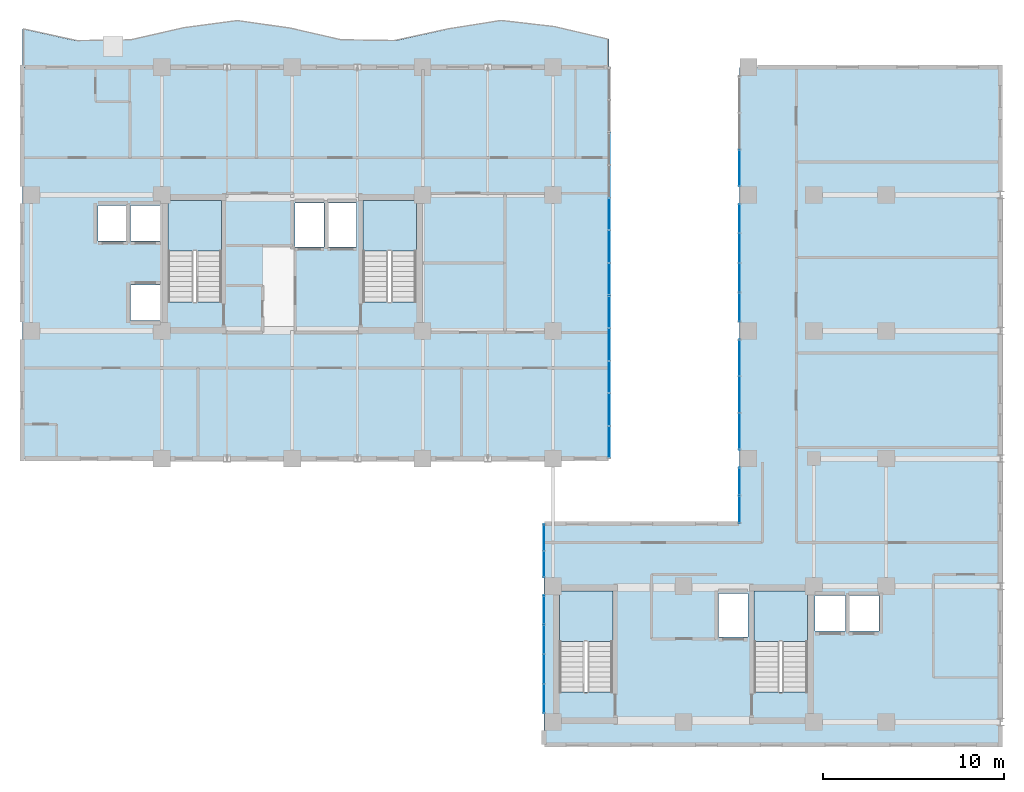
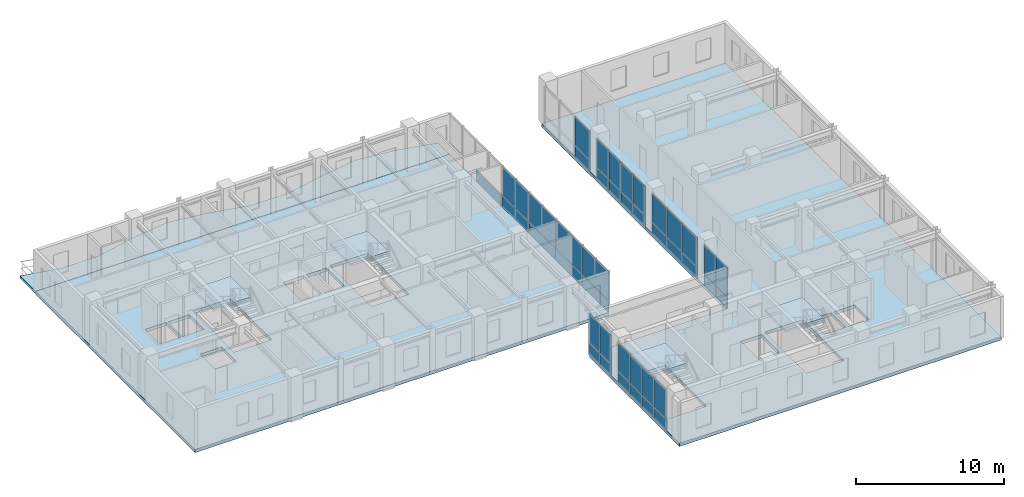
# One storey, part 15 of 24: 41 plates, 7 slabs, 11 elements without a shape of their own.
"""IFC4 building model written with IfcOpenShell, lengths in metres."""

from ifc_helpers import new_model, si_unit, direction, frame, origin, origin_2d, place, context, subcontext, project, spatial, polyline, rectangle, outline, extrude, source, transform, mapped, material, layer, layer_set, type_object, element, aggregate, save


model = new_model("IFC4")

# Units and contexts
model_context = context("Model", 3, precision=1e-05, world=origin(), true_north=direction((0.0, 1.0)))
body_context = subcontext(model_context, "Body", "Model", "MODEL_VIEW")
ifc_project = project(units=[si_unit("LENGTHUNIT", "METRE"), si_unit("AREAUNIT", "SQUARE_METRE"), si_unit("VOLUMEUNIT", "CUBIC_METRE"), si_unit("PLANEANGLEUNIT", "RADIAN"), si_unit("MASSUNIT", "GRAM", prefix="KILO")], contexts=[model_context])

# Site, building, storey
site_placement = place(None, origin())
site = spatial("IfcSite", under=ifc_project, at=site_placement, CompositionType="ELEMENT")
building_placement = place(site_placement, origin())
building = spatial("IfcBuilding", under=site, at=building_placement, Name="Kaliganga Portal Commons", CompositionType="ELEMENT")
storey_placement = place(building_placement, frame((0.0, 0.0, 238.800048828125)))
storey = spatial("IfcBuildingStorey", under=building, at=storey_placement, Name="L61", CompositionType="ELEMENT", Elevation=238.800048828125)

# Slabs
ifc_material_1 = material(Name="Concrete C40/50", Category="concrete")
ifc_layer_1 = layer(ifc_material_1, 0.2099609375)
ifc_layer_set_1 = layer_set([ifc_layer_1], Name="Concrete C40/50")
slab_type_1 = type_object("IfcSlabType", Name="SLB-BALC-210", PredefinedType="FLOOR", material=ifc_layer_set_1)
slab_1_placement = place(storey_placement, frame((0.0, 0.0, -0.2099609375)))
element("IfcSlab", 1, at=slab_1_placement, inside=storey, type_object=slab_type_1, Name="Scalloped Tree-Planter Balcony Slab L61 balc_north", PredefinedType="FLOOR", context=body_context, shape_type="SweptSolid", body=[
    extrude(outline(polyline([(39.10009765625, 43.199951171875), (39.10009765625, 44.760498046875), (36.154541015625, 45.455078125), (33.208984375, 45.796142578125), (30.263671875, 45.3271484375), (27.318115234375, 44.67578125), (24.372802734375, 44.714111328125), (21.42724609375, 45.390625), (18.481689453125, 45.800048828125), (15.536376953125, 45.39404296875), (12.5908203125, 44.71630859375), (9.6455078125, 44.674072265625), (6.699951171875, 45.32373046875), (6.699951171875, 43.199951171875), (39.10009765625, 43.199951171875)])), origin(), (0.0, 0.0, 1.0), 0.2099609375),
])
ifc_material_2 = material(Name="Concrete C50/60", Category="concrete")
ifc_layer_2 = layer(ifc_material_2, 0.260009765625)
ifc_layer_set_2 = layer_set([ifc_layer_2], Name="Concrete C50/60")
slab_type_2 = type_object("IfcSlabType", Name="SLB-PORTAL-260", PredefinedType="FLOOR", material=ifc_layer_set_2)
slab_2_placement = place(storey_placement, frame((0.0, 0.0, -0.260009765625)))
element("IfcSlab", 2, at=slab_2_placement, inside=storey, type_object=slab_type_2, Name="Structural Floor Slab L61:W1", PredefinedType="FLOOR", context=body_context, shape_type="SweptSolid", body=[
    extrude(outline(polyline([(6.699951171875, 21.60009765625), (39.10009765625, 21.60009765625), (39.10009765625, 43.199951171875), (6.699951171875, 43.199951171875), (6.699951171875, 21.60009765625)]), holes=[polyline([(14.75, 30.25390625), (14.75, 35.85009765625), (17.699951171875, 35.85009765625), (17.699951171875, 30.25390625), (14.75, 30.25390625)]), polyline([(25.5, 30.25390625), (25.5, 35.85009765625), (28.449951171875, 35.85009765625), (28.449951171875, 30.25390625), (25.5, 30.25390625)]), polyline([(12.6650390625, 33.614990234375), (12.6650390625, 35.5849609375), (14.3349609375, 35.5849609375), (14.3349609375, 33.614990234375), (12.6650390625, 33.614990234375)]), polyline([(12.6650390625, 29.215087890625), (12.6650390625, 31.18505859375), (14.3349609375, 31.18505859375), (14.3349609375, 29.215087890625), (12.6650390625, 29.215087890625)]), polyline([(10.864990234375, 33.614990234375), (10.864990234375, 35.5849609375), (12.534912109375, 35.5849609375), (12.534912109375, 33.614990234375), (10.864990234375, 33.614990234375)]), polyline([(21.739990234375, 33.2900390625), (21.739990234375, 35.7099609375), (23.360107421875, 35.7099609375), (23.360107421875, 33.2900390625), (21.739990234375, 33.2900390625)]), polyline([(23.5400390625, 33.2900390625), (23.5400390625, 35.7099609375), (25.159912109375, 35.7099609375), (25.159912109375, 33.2900390625), (23.5400390625, 33.2900390625)])]), origin(), (0.0, 0.0, 1.0), 0.260009765625),
])
slab_3_placement = place(storey_placement, frame((0.0, 0.0, -0.260009765625)))
element("IfcSlab", 3, at=slab_3_placement, inside=storey, type_object=slab_type_2, Name="Structural Floor Slab L61:W2", PredefinedType="FLOOR", context=body_context, shape_type="SweptSolid", body=[
    extrude(outline(polyline([(35.5, 5.800048828125), (60.699951171875, 5.800048828125), (60.699951171875, 43.199951171875), (46.300048828125, 43.199951171875), (46.300048828125, 18.0), (35.5, 18.0), (35.5, 5.800048828125)]), holes=[polyline([(36.35009765625, 8.7041015625), (36.35009765625, 14.300048828125), (39.300048828125, 14.300048828125), (39.300048828125, 8.7041015625), (36.35009765625, 8.7041015625)]), polyline([(47.10009765625, 8.7041015625), (47.10009765625, 14.300048828125), (50.050048828125, 14.300048828125), (50.050048828125, 8.7041015625), (47.10009765625, 8.7041015625)]), polyline([(50.465087890625, 12.06494140625), (50.465087890625, 14.034912109375), (52.135009765625, 14.034912109375), (52.135009765625, 12.06494140625), (50.465087890625, 12.06494140625)]), polyline([(52.31494140625, 12.06494140625), (52.31494140625, 14.034912109375), (53.985107421875, 14.034912109375), (53.985107421875, 12.06494140625), (52.31494140625, 12.06494140625)]), polyline([(45.139892578125, 11.739990234375), (45.139892578125, 14.159912109375), (46.760009765625, 14.159912109375), (46.760009765625, 11.739990234375), (45.139892578125, 11.739990234375)])]), origin(), (0.0, 0.0, 1.0), 0.260009765625),
])

# Stair, slab
stair_type = type_object("IfcStairType", Name="ST-CORE-DOGLEG", PredefinedType="HALF_TURN_STAIR", material=ifc_material_1)
stair_1_placement = place(storey_placement, origin())
stair_1 = element("IfcStair", 4, at=stair_1_placement, inside=storey, type_object=stair_type, Name="L61 Protected Exit Stair ST-A1", PredefinedType="HALF_TURN_STAIR")
ifc_layer_3 = layer(ifc_material_1, 0.199951171875)
ifc_layer_set_3 = layer_set([ifc_layer_3], Name="Concrete C40/50")
slab_type_3 = type_object("IfcSlabType", Name="SLB-STAIR-LND", PredefinedType="LANDING", material=ifc_layer_set_3)
slab_4_placement = place(storey_placement, frame((0.0, 0.0, 1.64990234375)))
slab_4 = element("IfcSlab", 5, at=slab_4_placement, type_object=slab_type_3, Name="ST-A1 landing 1", PredefinedType="LANDING", context=body_context, shape_type="SweptSolid", body=[
    extrude(outline(polyline([(17.699951171875, 33.050048828125), (17.699951171875, 35.85009765625), (14.75, 35.85009765625), (14.75, 33.050048828125), (17.699951171875, 33.050048828125)])), origin(), (0.0, 0.0, 1.0), 0.199951171875),
])
aggregate(stair_1, [slab_4])

stair_2_placement = place(storey_placement, origin())
stair_2 = element("IfcStair", 6, at=stair_2_placement, inside=storey, type_object=stair_type, Name="L61 Protected Exit Stair ST-A2", PredefinedType="HALF_TURN_STAIR")
slab_5_placement = place(storey_placement, frame((0.0, 0.0, 1.64990234375)))
slab_5 = element("IfcSlab", 7, at=slab_5_placement, type_object=slab_type_3, Name="ST-A2 landing 1", PredefinedType="LANDING", context=body_context, shape_type="SweptSolid", body=[
    extrude(outline(polyline([(28.449951171875, 33.050048828125), (28.449951171875, 35.85009765625), (25.5, 35.85009765625), (25.5, 33.050048828125), (28.449951171875, 33.050048828125)])), origin(), (0.0, 0.0, 1.0), 0.199951171875),
])
aggregate(stair_2, [slab_5])

stair_3_placement = place(storey_placement, origin())
stair_3 = element("IfcStair", 8, at=stair_3_placement, inside=storey, type_object=stair_type, Name="L61 Protected Exit Stair ST-B1", PredefinedType="HALF_TURN_STAIR")
slab_6_placement = place(storey_placement, frame((0.0, 0.0, 1.64990234375)))
slab_6 = element("IfcSlab", 9, at=slab_6_placement, type_object=slab_type_3, Name="ST-B1 landing 1", PredefinedType="LANDING", context=body_context, shape_type="SweptSolid", body=[
    extrude(outline(polyline([(39.300048828125, 11.5), (39.300048828125, 14.300048828125), (36.35009765625, 14.300048828125), (36.35009765625, 11.5), (39.300048828125, 11.5)])), origin(), (0.0, 0.0, 1.0), 0.199951171875),
])
aggregate(stair_3, [slab_6])

stair_4_placement = place(storey_placement, origin())
stair_4 = element("IfcStair", 10, at=stair_4_placement, inside=storey, type_object=stair_type, Name="L61 Protected Exit Stair ST-B2", PredefinedType="HALF_TURN_STAIR")
slab_7_placement = place(storey_placement, frame((0.0, 0.0, 1.64990234375)))
slab_7 = element("IfcSlab", 11, at=slab_7_placement, type_object=slab_type_3, Name="ST-B2 landing 1", PredefinedType="LANDING", context=body_context, shape_type="SweptSolid", body=[
    extrude(outline(polyline([(50.050048828125, 11.5), (50.050048828125, 14.300048828125), (47.10009765625, 14.300048828125), (47.10009765625, 11.5), (50.050048828125, 11.5)])), origin(), (0.0, 0.0, 1.0), 0.199951171875),
])
aggregate(stair_4, [slab_7])

# Curtain wall, plates
ifc_material_3 = material(Name="Anodized Aluminium and Laminated Low-E Glass", Category="aluminium")
ifc_layer_4 = layer(ifc_material_3, 0.239990234375)
ifc_layer_set_4 = layer_set([ifc_layer_4], Name="Anodized Aluminium and Laminated Low-E Glass")
curtain_wall_type = type_object("IfcCurtainWallType", Name="CW-SYS-04", PredefinedType="NOTDEFINED", material=ifc_layer_set_4)
curtain_wall_1_placement = place(storey_placement, origin())
curtain_wall_1 = element("IfcCurtainWall", 12, at=curtain_wall_1_placement, inside=storey, type_object=curtain_wall_type, Name="CW 04 L61 P2E03S2", PredefinedType="NOTDEFINED")
ifc_material_4 = material(Name="Insulated Dark Spandrel Panel", Category="metal")
ifc_layer_5 = layer(ifc_material_4, 0.044921875)
ifc_layer_set_5 = layer_set([ifc_layer_5], Name="Insulated Dark Spandrel Panel")
plate_type_1 = type_object("IfcPlateType", Name="PLT-SPN-45", PredefinedType="SHEET", material=ifc_layer_set_5)
shared_shape_1 = source(origin(), body_context, "Body", "SweptSolid", [
    extrude(rectangle(XDim=1.596923828125, YDim=0.044921875, at=origin_2d()), origin(), (0.0, 0.0, 1.0), 0.929931640625),
])
plate_1_placement = place(storey_placement, frame((46.300048828125, 34.85546875, 0.009765625), z_axis=(0.0, 0.0, 1.0), x_axis=(0.0, -1.0, 0.0)))
plate_1 = element("IfcPlate", 13, at=plate_1_placement, type_object=plate_type_1, Name="CW:04:L61:P2E03S2 Spandrel 00", PredefinedType="SHEET", context=body_context, shape_type="MappedRepresentation", body=[
    mapped(shared_shape_1, transform((0.0, 0.0, 0.0), x_axis=(1.0, 0.0, 0.0), y_axis=(0.0, 1.0, 0.0), z_axis=(0.0, 0.0, 1.0), scale=1.0)),
])
plate_2_placement = place(storey_placement, frame((46.300048828125, 33.218505859375, 0.009765625), z_axis=(0.0, 0.0, 1.0), x_axis=(0.0, -1.0, 0.0)))
plate_2 = element("IfcPlate", 14, at=plate_2_placement, type_object=plate_type_1, Name="CW:04:L61:P2E03S2 Spandrel 01", PredefinedType="SHEET", context=body_context, shape_type="MappedRepresentation", body=[
    mapped(shared_shape_1, transform((0.0, 0.0, 0.0), x_axis=(1.0, 0.0, 0.0), y_axis=(0.0, 1.0, 0.0), z_axis=(0.0, 0.0, 1.0), scale=1.0)),
])
plate_3_placement = place(storey_placement, frame((46.300048828125, 31.58154296875, 0.009765625), z_axis=(0.0, 0.0, 1.0), x_axis=(0.0, -1.0, 0.0)))
plate_3 = element("IfcPlate", 15, at=plate_3_placement, type_object=plate_type_1, Name="CW:04:L61:P2E03S2 Spandrel 02", PredefinedType="SHEET", context=body_context, shape_type="MappedRepresentation", body=[
    mapped(shared_shape_1, transform((0.0, 0.0, 0.0), x_axis=(1.0, 0.0, 0.0), y_axis=(0.0, 1.0, 0.0), z_axis=(0.0, 0.0, 1.0), scale=1.0)),
])
plate_4_placement = place(storey_placement, frame((46.300048828125, 29.944580078125, 0.009765625), z_axis=(0.0, 0.0, 1.0), x_axis=(0.0, -1.0, 0.0)))
plate_4 = element("IfcPlate", 16, at=plate_4_placement, type_object=plate_type_1, Name="CW:04:L61:P2E03S2 Spandrel 03", PredefinedType="SHEET", context=body_context, shape_type="MappedRepresentation", body=[
    mapped(shared_shape_1, transform((0.0, 0.0, 0.0), x_axis=(1.0, 0.0, 0.0), y_axis=(0.0, 1.0, 0.0), z_axis=(0.0, 0.0, 1.0), scale=1.0)),
])

curtain_wall_2_placement = place(storey_placement, origin())
curtain_wall_2 = element("IfcCurtainWall", 17, at=curtain_wall_2_placement, inside=storey, type_object=curtain_wall_type, Name="CW 04 L61 P2E05S2", PredefinedType="NOTDEFINED")
plate_5_placement = place(storey_placement, frame((35.5, 13.255615234375, 0.009765625), z_axis=(0.0, 0.0, 1.0), x_axis=(0.0, -1.0, 0.0)))
plate_5 = element("IfcPlate", 18, at=plate_5_placement, type_object=plate_type_1, Name="CW:04:L61:P2E05S2 Spandrel 00", PredefinedType="SHEET", context=body_context, shape_type="MappedRepresentation", body=[
    mapped(shared_shape_1, transform((0.0, 0.0, 0.0), x_axis=(1.0, 0.0, 0.0), y_axis=(0.0, 1.0, 0.0), z_axis=(0.0, 0.0, 1.0), scale=1.0)),
])
plate_6_placement = place(storey_placement, frame((35.5, 11.618408203125, 0.009765625), z_axis=(0.0, 0.0, 1.0), x_axis=(0.0, -1.0, 0.0)))
plate_6 = element("IfcPlate", 19, at=plate_6_placement, type_object=plate_type_1, Name="CW:04:L61:P2E05S2 Spandrel 01", PredefinedType="SHEET", context=body_context, shape_type="MappedRepresentation", body=[
    mapped(shared_shape_1, transform((0.0, 0.0, 0.0), x_axis=(1.0, 0.0, 0.0), y_axis=(0.0, 1.0, 0.0), z_axis=(0.0, 0.0, 1.0), scale=1.0)),
])
plate_7_placement = place(storey_placement, frame((35.5, 9.9814453125, 0.009765625), z_axis=(0.0, 0.0, 1.0), x_axis=(0.0, -1.0, 0.0)))
plate_7 = element("IfcPlate", 20, at=plate_7_placement, type_object=plate_type_1, Name="CW:04:L61:P2E05S2 Spandrel 02", PredefinedType="SHEET", context=body_context, shape_type="MappedRepresentation", body=[
    mapped(shared_shape_1, transform((0.0, 0.0, 0.0), x_axis=(1.0, 0.0, 0.0), y_axis=(0.0, 1.0, 0.0), z_axis=(0.0, 0.0, 1.0), scale=1.0)),
])
plate_8_placement = place(storey_placement, frame((35.5, 8.344482421875, 0.009765625), z_axis=(0.0, 0.0, 1.0), x_axis=(0.0, -1.0, 0.0)))
plate_8 = element("IfcPlate", 21, at=plate_8_placement, type_object=plate_type_1, Name="CW:04:L61:P2E05S2 Spandrel 03", PredefinedType="SHEET", context=body_context, shape_type="MappedRepresentation", body=[
    mapped(shared_shape_1, transform((0.0, 0.0, 0.0), x_axis=(1.0, 0.0, 0.0), y_axis=(0.0, 1.0, 0.0), z_axis=(0.0, 0.0, 1.0), scale=1.0)),
])

curtain_wall_3_placement = place(storey_placement, origin())
curtain_wall_3 = element("IfcCurtainWall", 22, at=curtain_wall_3_placement, inside=storey, type_object=curtain_wall_type, Name="CW 04 L61 P2E05S1", PredefinedType="NOTDEFINED")
shared_shape_2 = source(origin(), body_context, "Body", "SweptSolid", [
    extrude(rectangle(XDim=1.447021484375, YDim=0.044921875, at=origin_2d()), origin(), (0.0, 0.0, 1.0), 0.929931640625),
])
plate_9_placement = place(storey_placement, frame((35.5, 17.256591796875, 0.009765625), z_axis=(0.0, 0.0, 1.0), x_axis=(0.0, -1.0, 0.0)))
plate_9 = element("IfcPlate", 23, at=plate_9_placement, type_object=plate_type_1, Name="CW:04:L61:P2E05S1 Spandrel 00", PredefinedType="SHEET", context=body_context, shape_type="MappedRepresentation", body=[
    mapped(shared_shape_2, transform((0.0, 0.0, 0.0), x_axis=(1.0, 0.0, 0.0), y_axis=(0.0, 1.0, 0.0), z_axis=(0.0, 0.0, 1.0), scale=1.0)),
])
plate_10_placement = place(storey_placement, frame((35.5, 15.76953125, 0.009765625), z_axis=(0.0, 0.0, 1.0), x_axis=(0.0, -1.0, 0.0)))
plate_10 = element("IfcPlate", 24, at=plate_10_placement, type_object=plate_type_1, Name="CW:04:L61:P2E05S1 Spandrel 01", PredefinedType="SHEET", context=body_context, shape_type="MappedRepresentation", body=[
    mapped(shared_shape_2, transform((0.0, 0.0, 0.0), x_axis=(1.0, 0.0, 0.0), y_axis=(0.0, 1.0, 0.0), z_axis=(0.0, 0.0, 1.0), scale=1.0)),
])
ifc_material_5 = material(Name="Dark Solar-Control Laminated Low-E IGU", Category="glass")
ifc_layer_6 = layer(ifc_material_5, 0.028076171875)
ifc_layer_set_6 = layer_set([ifc_layer_6], Name="Dark Solar-Control Laminated Low-E IGU")
plate_type_2 = type_object("IfcPlateType", Name="PLT-GLZ-28", PredefinedType="CURTAIN_PANEL", material=ifc_layer_set_6)
shared_shape_3 = source(origin(), body_context, "Body", "SweptSolid", [
    extrude(rectangle(XDim=1.447021484375, YDim=0.028076171875, at=origin_2d()), origin(), (0.0, 0.0, 1.0), 2.389892578125),
])
plate_11_placement = place(storey_placement, frame((35.5, 17.256591796875, 0.9599609375), z_axis=(0.0, 0.0, 1.0), x_axis=(0.0, -1.0, 0.0)))
plate_11 = element("IfcPlate", 25, at=plate_11_placement, type_object=plate_type_2, Name="CW:04:L61:P2E05S1 Vision IGU 00", PredefinedType="CURTAIN_PANEL", context=body_context, shape_type="MappedRepresentation", body=[
    mapped(shared_shape_3, transform((0.0, 0.0, 0.0), x_axis=(1.0, 0.0, 0.0), y_axis=(0.0, 1.0, 0.0), z_axis=(0.0, 0.0, 1.0), scale=1.0)),
])
plate_12_placement = place(storey_placement, frame((35.5, 15.76953125, 0.9599609375), z_axis=(0.0, 0.0, 1.0), x_axis=(0.0, -1.0, 0.0)))
plate_12 = element("IfcPlate", 26, at=plate_12_placement, type_object=plate_type_2, Name="CW:04:L61:P2E05S1 Vision IGU 01", PredefinedType="CURTAIN_PANEL", context=body_context, shape_type="MappedRepresentation", body=[
    mapped(shared_shape_3, transform((0.0, 0.0, 0.0), x_axis=(1.0, 0.0, 0.0), y_axis=(0.0, 1.0, 0.0), z_axis=(0.0, 0.0, 1.0), scale=1.0)),
])
aggregate(curtain_wall_3, [plate_9, plate_11, plate_10, plate_12])

# Plate
shared_shape_4 = source(origin(), body_context, "Body", "SweptSolid", [
    extrude(rectangle(XDim=1.596923828125, YDim=0.028076171875, at=origin_2d()), origin(), (0.0, 0.0, 1.0), 2.389892578125),
])
plate_13_placement = place(storey_placement, frame((46.300048828125, 34.85546875, 0.9599609375), z_axis=(0.0, 0.0, 1.0), x_axis=(0.0, -1.0, 0.0)))
plate_13 = element("IfcPlate", 27, at=plate_13_placement, type_object=plate_type_2, Name="CW:04:L61:P2E03S2 Vision IGU 00", PredefinedType="CURTAIN_PANEL", context=body_context, shape_type="MappedRepresentation", body=[
    mapped(shared_shape_4, transform((0.0, 0.0, 0.0), x_axis=(1.0, 0.0, 0.0), y_axis=(0.0, 1.0, 0.0), z_axis=(0.0, 0.0, 1.0), scale=1.0)),
])

plate_14_placement = place(storey_placement, frame((46.300048828125, 33.218505859375, 0.9599609375), z_axis=(0.0, 0.0, 1.0), x_axis=(0.0, -1.0, 0.0)))
plate_14 = element("IfcPlate", 28, at=plate_14_placement, type_object=plate_type_2, Name="CW:04:L61:P2E03S2 Vision IGU 01", PredefinedType="CURTAIN_PANEL", context=body_context, shape_type="MappedRepresentation", body=[
    mapped(shared_shape_4, transform((0.0, 0.0, 0.0), x_axis=(1.0, 0.0, 0.0), y_axis=(0.0, 1.0, 0.0), z_axis=(0.0, 0.0, 1.0), scale=1.0)),
])

plate_15_placement = place(storey_placement, frame((46.300048828125, 31.58154296875, 0.9599609375), z_axis=(0.0, 0.0, 1.0), x_axis=(0.0, -1.0, 0.0)))
plate_15 = element("IfcPlate", 29, at=plate_15_placement, type_object=plate_type_2, Name="CW:04:L61:P2E03S2 Vision IGU 02", PredefinedType="CURTAIN_PANEL", context=body_context, shape_type="MappedRepresentation", body=[
    mapped(shared_shape_4, transform((0.0, 0.0, 0.0), x_axis=(1.0, 0.0, 0.0), y_axis=(0.0, 1.0, 0.0), z_axis=(0.0, 0.0, 1.0), scale=1.0)),
])

plate_16_placement = place(storey_placement, frame((46.300048828125, 29.944580078125, 0.9599609375), z_axis=(0.0, 0.0, 1.0), x_axis=(0.0, -1.0, 0.0)))
plate_16 = element("IfcPlate", 30, at=plate_16_placement, type_object=plate_type_2, Name="CW:04:L61:P2E03S2 Vision IGU 03", PredefinedType="CURTAIN_PANEL", context=body_context, shape_type="MappedRepresentation", body=[
    mapped(shared_shape_4, transform((0.0, 0.0, 0.0), x_axis=(1.0, 0.0, 0.0), y_axis=(0.0, 1.0, 0.0), z_axis=(0.0, 0.0, 1.0), scale=1.0)),
])

aggregate(curtain_wall_1, [plate_1, plate_13, plate_2, plate_14, plate_3, plate_15, plate_4, plate_16])

plate_17_placement = place(storey_placement, frame((35.5, 13.255615234375, 0.9599609375), z_axis=(0.0, 0.0, 1.0), x_axis=(0.0, -1.0, 0.0)))
plate_17 = element("IfcPlate", 31, at=plate_17_placement, type_object=plate_type_2, Name="CW:04:L61:P2E05S2 Vision IGU 00", PredefinedType="CURTAIN_PANEL", context=body_context, shape_type="MappedRepresentation", body=[
    mapped(shared_shape_4, transform((0.0, 0.0, 0.0), x_axis=(1.0, 0.0, 0.0), y_axis=(0.0, 1.0, 0.0), z_axis=(0.0, 0.0, 1.0), scale=1.0)),
])

plate_18_placement = place(storey_placement, frame((35.5, 11.618408203125, 0.9599609375), z_axis=(0.0, 0.0, 1.0), x_axis=(0.0, -1.0, 0.0)))
plate_18 = element("IfcPlate", 32, at=plate_18_placement, type_object=plate_type_2, Name="CW:04:L61:P2E05S2 Vision IGU 01", PredefinedType="CURTAIN_PANEL", context=body_context, shape_type="MappedRepresentation", body=[
    mapped(shared_shape_4, transform((0.0, 0.0, 0.0), x_axis=(1.0, 0.0, 0.0), y_axis=(0.0, 1.0, 0.0), z_axis=(0.0, 0.0, 1.0), scale=1.0)),
])

plate_19_placement = place(storey_placement, frame((35.5, 9.9814453125, 0.9599609375), z_axis=(0.0, 0.0, 1.0), x_axis=(0.0, -1.0, 0.0)))
plate_19 = element("IfcPlate", 33, at=plate_19_placement, type_object=plate_type_2, Name="CW:04:L61:P2E05S2 Vision IGU 02", PredefinedType="CURTAIN_PANEL", context=body_context, shape_type="MappedRepresentation", body=[
    mapped(shared_shape_4, transform((0.0, 0.0, 0.0), x_axis=(1.0, 0.0, 0.0), y_axis=(0.0, 1.0, 0.0), z_axis=(0.0, 0.0, 1.0), scale=1.0)),
])

plate_20_placement = place(storey_placement, frame((35.5, 8.344482421875, 0.9599609375), z_axis=(0.0, 0.0, 1.0), x_axis=(0.0, -1.0, 0.0)))
plate_20 = element("IfcPlate", 34, at=plate_20_placement, type_object=plate_type_2, Name="CW:04:L61:P2E05S2 Vision IGU 03", PredefinedType="CURTAIN_PANEL", context=body_context, shape_type="MappedRepresentation", body=[
    mapped(shared_shape_4, transform((0.0, 0.0, 0.0), x_axis=(1.0, 0.0, 0.0), y_axis=(0.0, 1.0, 0.0), z_axis=(0.0, 0.0, 1.0), scale=1.0)),
])

aggregate(curtain_wall_2, [plate_5, plate_17, plate_6, plate_18, plate_7, plate_19, plate_8, plate_20])

# Curtain wall, plates
curtain_wall_4_placement = place(storey_placement, origin())
curtain_wall_4 = element("IfcCurtainWall", 35, at=curtain_wall_4_placement, inside=storey, type_object=curtain_wall_type, Name="CW 04 L61 P1E01S1", PredefinedType="NOTDEFINED")
shared_shape_5 = source(origin(), body_context, "Body", "SweptSolid", [
    extrude(rectangle(XDim=3.56005859375, YDim=0.044921875, at=origin_2d()), origin(), (0.0, 0.0, 1.0), 0.929931640625),
])
plate_21_placement = place(storey_placement, frame((39.10009765625, 23.39990234375, 0.009765625), z_axis=(0.0, 0.0, 1.0), x_axis=(0.0, 1.0, 0.0)))
plate_21 = element("IfcPlate", 36, at=plate_21_placement, type_object=plate_type_1, Name="CW:04:L61:P1E01S1 Spandrel 00", PredefinedType="SHEET", context=body_context, shape_type="MappedRepresentation", body=[
    mapped(shared_shape_5, transform((0.0, 0.0, 0.0), x_axis=(1.0, 0.0, 0.0), y_axis=(0.0, 1.0, 0.0), z_axis=(0.0, 0.0, 1.0), scale=1.0)),
])
plate_22_placement = place(storey_placement, frame((39.10009765625, 27.0, 0.009765625), z_axis=(0.0, 0.0, 1.0), x_axis=(0.0, 1.0, 0.0)))
plate_22 = element("IfcPlate", 37, at=plate_22_placement, type_object=plate_type_1, Name="CW:04:L61:P1E01S1 Spandrel 02", PredefinedType="SHEET", context=body_context, shape_type="MappedRepresentation", body=[
    mapped(shared_shape_5, transform((0.0, 0.0, 0.0), x_axis=(1.0, 0.0, 0.0), y_axis=(0.0, 1.0, 0.0), z_axis=(0.0, 0.0, 1.0), scale=1.0)),
])
plate_23_placement = place(storey_placement, frame((39.10009765625, 30.60009765625, 0.009765625), z_axis=(0.0, 0.0, 1.0), x_axis=(0.0, 1.0, 0.0)))
plate_23 = element("IfcPlate", 38, at=plate_23_placement, type_object=plate_type_1, Name="CW:04:L61:P1E01S1 Spandrel 04", PredefinedType="SHEET", context=body_context, shape_type="MappedRepresentation", body=[
    mapped(shared_shape_5, transform((0.0, 0.0, 0.0), x_axis=(1.0, 0.0, 0.0), y_axis=(0.0, 1.0, 0.0), z_axis=(0.0, 0.0, 1.0), scale=1.0)),
])
plate_24_placement = place(storey_placement, frame((39.10009765625, 34.199951171875, 0.009765625), z_axis=(0.0, 0.0, 1.0), x_axis=(0.0, 1.0, 0.0)))
plate_24 = element("IfcPlate", 39, at=plate_24_placement, type_object=plate_type_1, Name="CW:04:L61:P1E01S1 Spandrel 06", PredefinedType="SHEET", context=body_context, shape_type="MappedRepresentation", body=[
    mapped(shared_shape_5, transform((0.0, 0.0, 0.0), x_axis=(1.0, 0.0, 0.0), y_axis=(0.0, 1.0, 0.0), z_axis=(0.0, 0.0, 1.0), scale=1.0)),
])
plate_25_placement = place(storey_placement, frame((39.10009765625, 37.800048828125, 0.009765625), z_axis=(0.0, 0.0, 1.0), x_axis=(0.0, 1.0, 0.0)))
plate_25 = element("IfcPlate", 40, at=plate_25_placement, type_object=plate_type_1, Name="CW:04:L61:P1E01S1 Spandrel 08", PredefinedType="SHEET", context=body_context, shape_type="MappedRepresentation", body=[
    mapped(shared_shape_5, transform((0.0, 0.0, 0.0), x_axis=(1.0, 0.0, 0.0), y_axis=(0.0, 1.0, 0.0), z_axis=(0.0, 0.0, 1.0), scale=1.0)),
])
shared_shape_6 = source(origin(), body_context, "Body", "SweptSolid", [
    extrude(rectangle(XDim=3.56005859375, YDim=0.028076171875, at=origin_2d()), origin(), (0.0, 0.0, 1.0), 2.389892578125),
])
plate_26_placement = place(storey_placement, frame((39.10009765625, 23.39990234375, 0.9599609375), z_axis=(0.0, 0.0, 1.0), x_axis=(0.0, 1.0, 0.0)))
plate_26 = element("IfcPlate", 41, at=plate_26_placement, type_object=plate_type_2, Name="CW:04:L61:P1E01S1 Vision IGU 00", PredefinedType="CURTAIN_PANEL", context=body_context, shape_type="MappedRepresentation", body=[
    mapped(shared_shape_6, transform((0.0, 0.0, 0.0), x_axis=(1.0, 0.0, 0.0), y_axis=(0.0, 1.0, 0.0), z_axis=(0.0, 0.0, 1.0), scale=1.0)),
])
plate_27_placement = place(storey_placement, frame((39.10009765625, 27.0, 0.9599609375), z_axis=(0.0, 0.0, 1.0), x_axis=(0.0, 1.0, 0.0)))
plate_27 = element("IfcPlate", 42, at=plate_27_placement, type_object=plate_type_2, Name="CW:04:L61:P1E01S1 Vision IGU 02", PredefinedType="CURTAIN_PANEL", context=body_context, shape_type="MappedRepresentation", body=[
    mapped(shared_shape_6, transform((0.0, 0.0, 0.0), x_axis=(1.0, 0.0, 0.0), y_axis=(0.0, 1.0, 0.0), z_axis=(0.0, 0.0, 1.0), scale=1.0)),
])
plate_28_placement = place(storey_placement, frame((39.10009765625, 30.60009765625, 0.9599609375), z_axis=(0.0, 0.0, 1.0), x_axis=(0.0, 1.0, 0.0)))
plate_28 = element("IfcPlate", 43, at=plate_28_placement, type_object=plate_type_2, Name="CW:04:L61:P1E01S1 Vision IGU 04", PredefinedType="CURTAIN_PANEL", context=body_context, shape_type="MappedRepresentation", body=[
    mapped(shared_shape_6, transform((0.0, 0.0, 0.0), x_axis=(1.0, 0.0, 0.0), y_axis=(0.0, 1.0, 0.0), z_axis=(0.0, 0.0, 1.0), scale=1.0)),
])
plate_29_placement = place(storey_placement, frame((39.10009765625, 34.199951171875, 0.9599609375), z_axis=(0.0, 0.0, 1.0), x_axis=(0.0, 1.0, 0.0)))
plate_29 = element("IfcPlate", 44, at=plate_29_placement, type_object=plate_type_2, Name="CW:04:L61:P1E01S1 Vision IGU 06", PredefinedType="CURTAIN_PANEL", context=body_context, shape_type="MappedRepresentation", body=[
    mapped(shared_shape_6, transform((0.0, 0.0, 0.0), x_axis=(1.0, 0.0, 0.0), y_axis=(0.0, 1.0, 0.0), z_axis=(0.0, 0.0, 1.0), scale=1.0)),
])
aggregate(curtain_wall_4, [plate_21, plate_26, plate_22, plate_27, plate_23, plate_28, plate_24, plate_29, plate_25])

# Curtain wall, plate
curtain_wall_5_placement = place(storey_placement, origin())
curtain_wall_5 = element("IfcCurtainWall", 45, at=curtain_wall_5_placement, inside=storey, type_object=curtain_wall_type, Name="CW 04 L61 P2E03S1", PredefinedType="NOTDEFINED")
shared_shape_7 = source(origin(), body_context, "Body", "SweptSolid", [
    extrude(rectangle(XDim=1.99267578125, YDim=0.044921875, at=origin_2d()), origin(), (0.0, 0.0, 1.0), 0.929931640625),
])
plate_30_placement = place(storey_placement, frame((46.300048828125, 37.642333984375, 0.009765625), z_axis=(0.0, 0.0, 1.0), x_axis=(0.0, -1.0, 0.0)))
plate_30 = element("IfcPlate", 46, at=plate_30_placement, type_object=plate_type_1, Name="CW:04:L61:P2E03S1 Spandrel 02", PredefinedType="SHEET", context=body_context, shape_type="MappedRepresentation", body=[
    mapped(shared_shape_7, transform((0.0, 0.0, 0.0), x_axis=(1.0, 0.0, 0.0), y_axis=(0.0, 1.0, 0.0), z_axis=(0.0, 0.0, 1.0), scale=1.0)),
])

# Curtain wall, plates
curtain_wall_6_placement = place(storey_placement, origin())
curtain_wall_6 = element("IfcCurtainWall", 47, at=curtain_wall_6_placement, inside=storey, type_object=curtain_wall_type, Name="CW 04 L61 P2E03S3", PredefinedType="NOTDEFINED")
plate_31_placement = place(storey_placement, frame((46.300048828125, 27.15771484375, 0.009765625), z_axis=(0.0, 0.0, 1.0), x_axis=(0.0, -1.0, 0.0)))
plate_31 = element("IfcPlate", 48, at=plate_31_placement, type_object=plate_type_1, Name="CW:04:L61:P2E03S3 Spandrel 00", PredefinedType="SHEET", context=body_context, shape_type="MappedRepresentation", body=[
    mapped(shared_shape_7, transform((0.0, 0.0, 0.0), x_axis=(1.0, 0.0, 0.0), y_axis=(0.0, 1.0, 0.0), z_axis=(0.0, 0.0, 1.0), scale=1.0)),
])
plate_32_placement = place(storey_placement, frame((46.300048828125, 25.125, 0.009765625), z_axis=(0.0, 0.0, 1.0), x_axis=(0.0, -1.0, 0.0)))
plate_32 = element("IfcPlate", 49, at=plate_32_placement, type_object=plate_type_1, Name="CW:04:L61:P2E03S3 Spandrel 01", PredefinedType="SHEET", context=body_context, shape_type="MappedRepresentation", body=[
    mapped(shared_shape_7, transform((0.0, 0.0, 0.0), x_axis=(1.0, 0.0, 0.0), y_axis=(0.0, 1.0, 0.0), z_axis=(0.0, 0.0, 1.0), scale=1.0)),
])
plate_33_placement = place(storey_placement, frame((46.300048828125, 23.09228515625, 0.009765625), z_axis=(0.0, 0.0, 1.0), x_axis=(0.0, -1.0, 0.0)))
plate_33 = element("IfcPlate", 50, at=plate_33_placement, type_object=plate_type_1, Name="CW:04:L61:P2E03S3 Spandrel 02", PredefinedType="SHEET", context=body_context, shape_type="MappedRepresentation", body=[
    mapped(shared_shape_7, transform((0.0, 0.0, 0.0), x_axis=(1.0, 0.0, 0.0), y_axis=(0.0, 1.0, 0.0), z_axis=(0.0, 0.0, 1.0), scale=1.0)),
])

# Plate
shared_shape_8 = source(origin(), body_context, "Body", "SweptSolid", [
    extrude(rectangle(XDim=1.99267578125, YDim=0.028076171875, at=origin_2d()), origin(), (0.0, 0.0, 1.0), 2.389892578125),
])
plate_34_placement = place(storey_placement, frame((46.300048828125, 37.642333984375, 0.9599609375), z_axis=(0.0, 0.0, 1.0), x_axis=(0.0, -1.0, 0.0)))
plate_34 = element("IfcPlate", 51, at=plate_34_placement, type_object=plate_type_2, Name="CW:04:L61:P2E03S1 Vision IGU 02", PredefinedType="CURTAIN_PANEL", context=body_context, shape_type="MappedRepresentation", body=[
    mapped(shared_shape_8, transform((0.0, 0.0, 0.0), x_axis=(1.0, 0.0, 0.0), y_axis=(0.0, 1.0, 0.0), z_axis=(0.0, 0.0, 1.0), scale=1.0)),
])

aggregate(curtain_wall_5, [plate_30, plate_34])

plate_35_placement = place(storey_placement, frame((46.300048828125, 27.15771484375, 0.9599609375), z_axis=(0.0, 0.0, 1.0), x_axis=(0.0, -1.0, 0.0)))
plate_35 = element("IfcPlate", 52, at=plate_35_placement, type_object=plate_type_2, Name="CW:04:L61:P2E03S3 Vision IGU 00", PredefinedType="CURTAIN_PANEL", context=body_context, shape_type="MappedRepresentation", body=[
    mapped(shared_shape_8, transform((0.0, 0.0, 0.0), x_axis=(1.0, 0.0, 0.0), y_axis=(0.0, 1.0, 0.0), z_axis=(0.0, 0.0, 1.0), scale=1.0)),
])

plate_36_placement = place(storey_placement, frame((46.300048828125, 25.125, 0.9599609375), z_axis=(0.0, 0.0, 1.0), x_axis=(0.0, -1.0, 0.0)))
plate_36 = element("IfcPlate", 53, at=plate_36_placement, type_object=plate_type_2, Name="CW:04:L61:P2E03S3 Vision IGU 01", PredefinedType="CURTAIN_PANEL", context=body_context, shape_type="MappedRepresentation", body=[
    mapped(shared_shape_8, transform((0.0, 0.0, 0.0), x_axis=(1.0, 0.0, 0.0), y_axis=(0.0, 1.0, 0.0), z_axis=(0.0, 0.0, 1.0), scale=1.0)),
])

plate_37_placement = place(storey_placement, frame((46.300048828125, 23.09228515625, 0.9599609375), z_axis=(0.0, 0.0, 1.0), x_axis=(0.0, -1.0, 0.0)))
plate_37 = element("IfcPlate", 54, at=plate_37_placement, type_object=plate_type_2, Name="CW:04:L61:P2E03S3 Vision IGU 02", PredefinedType="CURTAIN_PANEL", context=body_context, shape_type="MappedRepresentation", body=[
    mapped(shared_shape_8, transform((0.0, 0.0, 0.0), x_axis=(1.0, 0.0, 0.0), y_axis=(0.0, 1.0, 0.0), z_axis=(0.0, 0.0, 1.0), scale=1.0)),
])

aggregate(curtain_wall_6, [plate_31, plate_35, plate_32, plate_36, plate_33, plate_37])

# Curtain wall, plates
curtain_wall_7_placement = place(storey_placement, origin())
curtain_wall_7 = element("IfcCurtainWall", 55, at=curtain_wall_7_placement, inside=storey, type_object=curtain_wall_type, Name="CW 04 L61 P2E03S4", PredefinedType="NOTDEFINED")
shared_shape_9 = source(origin(), body_context, "Body", "SweptSolid", [
    extrude(rectangle(XDim=1.52197265625, YDim=0.044921875, at=origin_2d()), origin(), (0.0, 0.0, 1.0), 0.929931640625),
])
plate_38_placement = place(storey_placement, frame((46.300048828125, 20.343017578125, 0.009765625), z_axis=(0.0, 0.0, 1.0), x_axis=(0.0, -1.0, 0.0)))
plate_38 = element("IfcPlate", 56, at=plate_38_placement, type_object=plate_type_1, Name="CW:04:L61:P2E03S4 Spandrel 00", PredefinedType="SHEET", context=body_context, shape_type="MappedRepresentation", body=[
    mapped(shared_shape_9, transform((0.0, 0.0, 0.0), x_axis=(1.0, 0.0, 0.0), y_axis=(0.0, 1.0, 0.0), z_axis=(0.0, 0.0, 1.0), scale=1.0)),
])
plate_39_placement = place(storey_placement, frame((46.300048828125, 18.781005859375, 0.009765625), z_axis=(0.0, 0.0, 1.0), x_axis=(0.0, -1.0, 0.0)))
plate_39 = element("IfcPlate", 57, at=plate_39_placement, type_object=plate_type_1, Name="CW:04:L61:P2E03S4 Spandrel 01", PredefinedType="SHEET", context=body_context, shape_type="MappedRepresentation", body=[
    mapped(shared_shape_9, transform((0.0, 0.0, 0.0), x_axis=(1.0, 0.0, 0.0), y_axis=(0.0, 1.0, 0.0), z_axis=(0.0, 0.0, 1.0), scale=1.0)),
])
shared_shape_10 = source(origin(), body_context, "Body", "SweptSolid", [
    extrude(rectangle(XDim=1.52197265625, YDim=0.028076171875, at=origin_2d()), origin(), (0.0, 0.0, 1.0), 2.389892578125),
])
plate_40_placement = place(storey_placement, frame((46.300048828125, 20.343017578125, 0.9599609375), z_axis=(0.0, 0.0, 1.0), x_axis=(0.0, -1.0, 0.0)))
plate_40 = element("IfcPlate", 58, at=plate_40_placement, type_object=plate_type_2, Name="CW:04:L61:P2E03S4 Vision IGU 00", PredefinedType="CURTAIN_PANEL", context=body_context, shape_type="MappedRepresentation", body=[
    mapped(shared_shape_10, transform((0.0, 0.0, 0.0), x_axis=(1.0, 0.0, 0.0), y_axis=(0.0, 1.0, 0.0), z_axis=(0.0, 0.0, 1.0), scale=1.0)),
])
plate_41_placement = place(storey_placement, frame((46.300048828125, 18.781005859375, 0.9599609375), z_axis=(0.0, 0.0, 1.0), x_axis=(0.0, -1.0, 0.0)))
plate_41 = element("IfcPlate", 59, at=plate_41_placement, type_object=plate_type_2, Name="CW:04:L61:P2E03S4 Vision IGU 01", PredefinedType="CURTAIN_PANEL", context=body_context, shape_type="MappedRepresentation", body=[
    mapped(shared_shape_10, transform((0.0, 0.0, 0.0), x_axis=(1.0, 0.0, 0.0), y_axis=(0.0, 1.0, 0.0), z_axis=(0.0, 0.0, 1.0), scale=1.0)),
])
aggregate(curtain_wall_7, [plate_38, plate_40, plate_39, plate_41])

save(model, "model.ifc")
